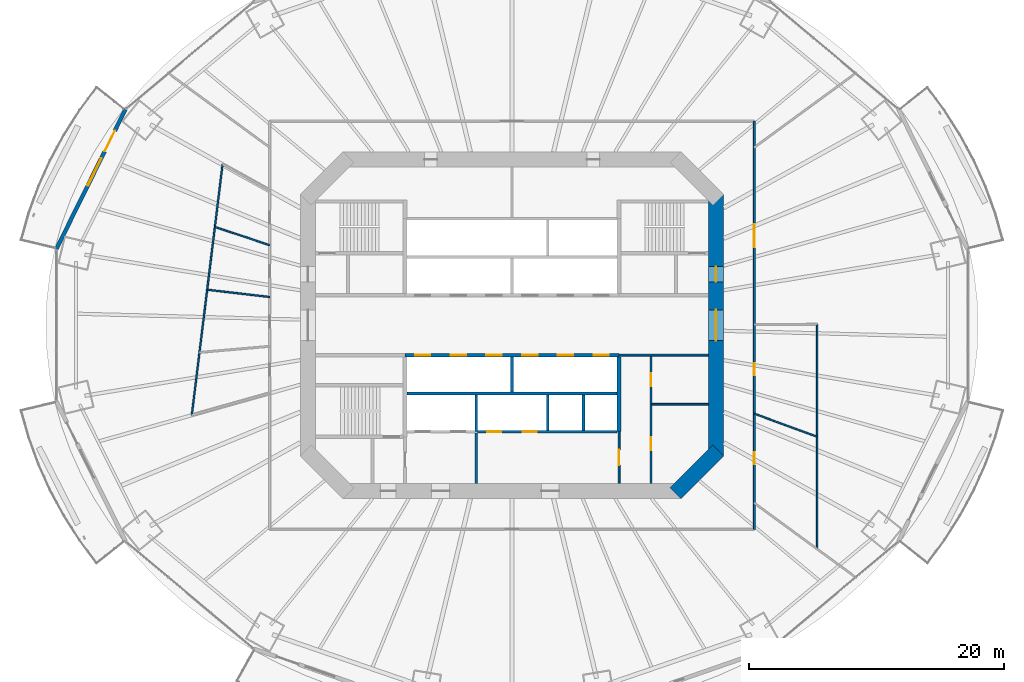
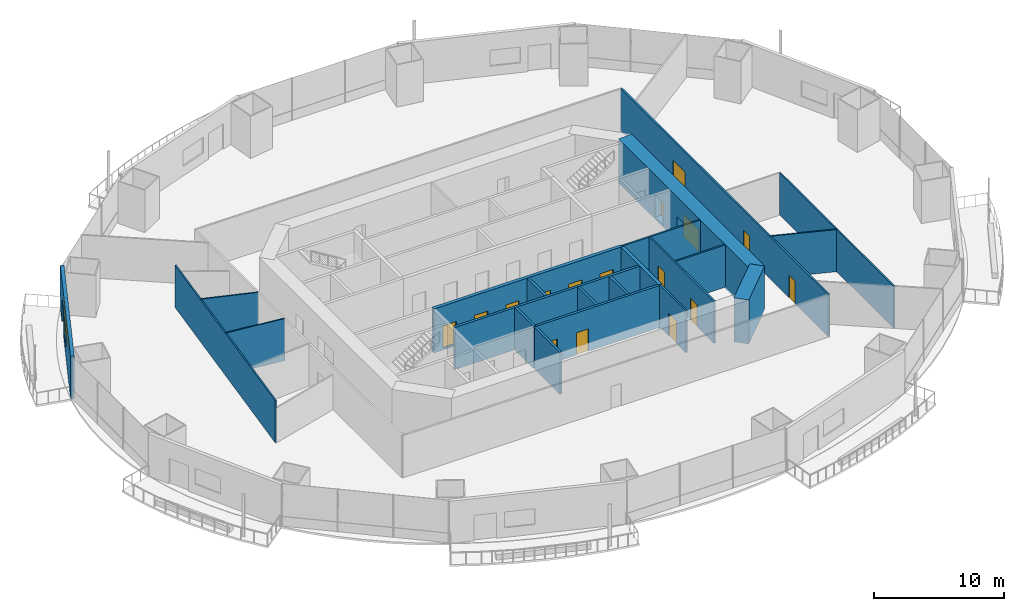
# One storey, part 15 of 23: 22 walls, 17 doors, 1 window, 18 openings.
"""IFC4 building model written with IfcOpenShell, lengths in metres."""

from ifc_helpers import new_model, si_unit, direction, frame, frame_2d, origin, place, context, subcontext, project, spatial, rectangle, extrude, material, layer, layer_set, type_object, element, fill, save


model = new_model("IFC4")

# Units and contexts
model_context = context("Model", 3, precision=1e-05, world=origin(), true_north=direction((0.0, 1.0)))
body_context = subcontext(model_context, "Body", "Model", "MODEL_VIEW")
ifc_project = project(units=[si_unit("LENGTHUNIT", "METRE"), si_unit("AREAUNIT", "SQUARE_METRE"), si_unit("VOLUMEUNIT", "CUBIC_METRE"), si_unit("PLANEANGLEUNIT", "RADIAN"), si_unit("MASSUNIT", "GRAM", prefix="KILO")], contexts=[model_context])

# Site, building, storey
site_placement = place(None, origin())
site = spatial("IfcSite", under=ifc_project, at=site_placement, CompositionType="ELEMENT")
building_placement = place(site_placement, origin())
building = spatial("IfcBuilding", under=site, at=building_placement, Name="Marenthal Gate Tower", CompositionType="ELEMENT")
storey_placement = place(building_placement, frame((0.0, 0.0, 45.449951171875)))
storey = spatial("IfcBuildingStorey", under=building, at=storey_placement, Name="L07", CompositionType="ELEMENT", Elevation=45.449951171875)

# Wall
ifc_material_1 = material(Name="Concrete 60 MPa", Category="concrete")
ifc_layer_1 = layer(ifc_material_1, 1.199951171875)
ifc_layer_set_1 = layer_set([ifc_layer_1], Name="Core shear wall 1200")
wall_type_1 = type_object("IfcWallType", Name="Core shear wall 1200", PredefinedType="SHEAR", material=ifc_layer_set_1)
wall_1_placement = place(storey_placement, frame((12.82421875, -13.17578125, -0.179931640625), z_axis=(0.0, 0.0, 1.0), x_axis=(0.707106781187, 0.707106781187, 0.0)))
element("IfcWall", 1, at=wall_1_placement, inside=storey, type_object=wall_type_1, Name="Core wall 01", PredefinedType="SHEAR", context=body_context, shape_type="SweptSolid", body=[
    extrude(rectangle(XDim=4.73974609375, YDim=1.199951171875, at=frame_2d((2.369873046875, 0.0))), origin(), (0.0, 0.0, 1.0), 4.14990234375),
])

# Wall, openings, doors
wall_2_placement = place(storey_placement, frame((16.0, -10.24853515625, -0.179931640625), z_axis=(0.0, 0.0, 1.0), x_axis=(0.0, 1.0, 0.0)))
wall_2 = element("IfcWall", 2, at=wall_2_placement, inside=storey, type_object=wall_type_1, Name="Core wall 02", PredefinedType="SHEAR", context=body_context, shape_type="SweptSolid", body=[
    extrude(rectangle(XDim=20.4970703125, YDim=1.199951171875, at=frame_2d((10.24853515625, 0.0))), origin(), (0.0, 0.0, 1.0), 4.14990234375),
])
opening_1_placement = place(wall_2_placement, frame((9.048583984375, 0.0, 0.179931640625)))
opening_1 = element("IfcOpeningElement", 3, at=opening_1_placement, cuts=wall_2, Name="Opening D003.02", PredefinedType="OPENING", context=body_context, shape_type="SweptSolid", body=[
    extrude(rectangle(XDim=2.39990234375, YDim=2.10009765625, at=frame_2d((1.199951171875, 1.050048828125))), frame((0.0, 0.60986328125, 0.0), z_axis=(0.0, -1.0, 0.0), x_axis=(1.0, 0.0, 0.0)), (0.0, 0.0, 1.0), 1.219970703125),
])
opening_2_placement = place(wall_2_placement, frame((13.6484375, 0.0, 0.179931640625)))
opening_2 = element("IfcOpeningElement", 4, at=opening_2_placement, cuts=wall_2, Name="Opening D001.05", PredefinedType="OPENING", context=body_context, shape_type="SweptSolid", body=[
    extrude(rectangle(XDim=1.199951171875, YDim=2.10009765625, at=frame_2d((0.60009765625, 1.050048828125))), frame((0.0, 0.60986328125, 0.0), z_axis=(0.0, -1.0, 0.0), x_axis=(1.0, 0.0, 0.0)), (0.0, 0.0, 1.0), 1.219970703125),
])
ifc_material_2 = material(Name="Steel fire door", Category="steel")
door_type_1 = type_object("IfcDoorType", Name="Double fire door FD 45 2400 x 2100", OperationType="DOUBLE_DOOR_SINGLE_SWING", PredefinedType="DOOR", material=ifc_material_2)
door_1_placement = place(opening_1_placement, origin())
door_1 = element("IfcDoor", 5, at=door_1_placement, inside=storey, type_object=door_type_1, Name="Door D003.02", OperationType="DOUBLE_DOOR_SINGLE_SWING", OverallHeight=2.10009765625, OverallWidth=2.39990234375, PredefinedType="DOOR", context=body_context, shape_type="SweptSolid", body=[
    extrude(rectangle(XDim=2.39990234375, YDim=2.10009765625, at=frame_2d((1.199951171875, 1.050048828125))), frame((0.0, 0.02490234375, 0.0), z_axis=(0.0, -1.0, 0.0), x_axis=(1.0, 0.0, 0.0)), (0.0, 0.0, 1.0), 0.050048828125),
])
fill(opening_1, door_1)
ifc_material_3 = material(Name="Steel fire door", Category="steel")
door_type_2 = type_object("IfcDoorType", Name="Fire door FD 90 1200 x 2100", OperationType="NOTDEFINED", PredefinedType="DOOR", material=ifc_material_3)
door_2_placement = place(opening_2_placement, origin())
door_2 = element("IfcDoor", 6, at=door_2_placement, inside=storey, type_object=door_type_2, Name="Door D001.05", OperationType="SINGLE_SWING_RIGHT", OverallHeight=2.10009765625, OverallWidth=1.199951171875, PredefinedType="DOOR", context=body_context, shape_type="SweptSolid", body=[
    extrude(rectangle(XDim=1.199951171875, YDim=2.10009765625, at=frame_2d((0.60009765625, 1.050048828125))), frame((0.0, 0.02490234375, 0.0), z_axis=(0.0, -1.0, 0.0), x_axis=(1.0, 0.0, 0.0)), (0.0, 0.0, 1.0), 0.050048828125),
])
fill(opening_2, door_2)

# Wall
ifc_material_4 = material(Name="Gypsum board on steel studs", Category="steel")
ifc_layer_2 = layer(ifc_material_4, 0.199951171875)
ifc_layer_set_2 = layer_set([ifc_layer_2], Name="Fire lobby wall 200")
wall_type_2 = type_object("IfcWallType", Name="Fire lobby wall 200", PredefinedType="PARTITIONING", material=ifc_layer_set_2)
wall_3_placement = place(storey_placement, frame((-2.800048828125, -12.39990234375, 0.0), z_axis=(0.0, 0.0, 1.0), x_axis=(0.0, 1.0, 0.0)))
element("IfcWall", 7, at=wall_3_placement, inside=storey, type_object=wall_type_2, Name="Fire wall 33", PredefinedType="PARTITIONING", context=body_context, shape_type="SweptSolid", body=[
    extrude(rectangle(XDim=3.93994140625, YDim=0.199951171875, at=frame_2d((1.969970703125, 0.0))), origin(), (0.0, 0.0, 1.0), 3.969970703125),
])

# Wall, openings, doors
ifc_material_5 = material(Name="Concrete 50 MPa", Category="concrete")
ifc_layer_3 = layer(ifc_material_5, 0.300048828125)
ifc_layer_set_3 = layer_set([ifc_layer_3], Name="Hoistway shear wall 300")
wall_type_3 = type_object("IfcWallType", Name="Hoistway shear wall 300", PredefinedType="SHEAR", material=ifc_layer_set_3)
wall_4_placement = place(storey_placement, frame((-8.39990234375, -2.35009765625, -0.179931640625), z_axis=(0.0, 0.0, 1.0), x_axis=(1.0, 0.0, 0.0)))
wall_4 = element("IfcWall", 8, at=wall_4_placement, inside=storey, type_object=wall_type_3, Name="Hoistway wall 16", PredefinedType="SHEAR", context=body_context, shape_type="SweptSolid", body=[
    extrude(rectangle(XDim=16.7998046875, YDim=0.300048828125, at=frame_2d((8.39990234375, 0.0))), origin(), (0.0, 0.0, 1.0), 4.14990234375),
])
opening_3_placement = place(wall_4_placement, frame((0.800048828125, 0.0, 0.179931640625)))
opening_3 = element("IfcOpeningElement", 9, at=opening_3_placement, cuts=wall_4, Name="Opening LD-LP7", PredefinedType="OPENING", context=body_context, shape_type="SweptSolid", body=[
    extrude(rectangle(XDim=1.199951171875, YDim=2.10009765625, at=frame_2d((0.60009765625, 1.050048828125))), frame((0.0, 0.16015625, 0.0), z_axis=(0.0, -1.0, 0.0), x_axis=(1.0, 0.0, 0.0)), (0.0, 0.0, 1.0), 0.320068359375),
])
opening_4_placement = place(wall_4_placement, frame((3.60009765625, 0.0, 0.179931640625)))
opening_4 = element("IfcOpeningElement", 10, at=opening_4_placement, cuts=wall_4, Name="Opening LD-LP8", PredefinedType="OPENING", context=body_context, shape_type="SweptSolid", body=[
    extrude(rectangle(XDim=1.199951171875, YDim=2.10009765625, at=frame_2d((0.60009765625, 1.050048828125))), frame((0.0, 0.16015625, 0.0), z_axis=(0.0, -1.0, 0.0), x_axis=(1.0, 0.0, 0.0)), (0.0, 0.0, 1.0), 0.320068359375),
])
opening_5_placement = place(wall_4_placement, frame((6.39990234375, 0.0, 0.179931640625)))
opening_5 = element("IfcOpeningElement", 11, at=opening_5_placement, cuts=wall_4, Name="Opening LD-LP9", PredefinedType="OPENING", context=body_context, shape_type="SweptSolid", body=[
    extrude(rectangle(XDim=1.199951171875, YDim=2.10009765625, at=frame_2d((0.60009765625, 1.050048828125))), frame((0.0, 0.16015625, 0.0), z_axis=(0.0, -1.0, 0.0), x_axis=(1.0, 0.0, 0.0)), (0.0, 0.0, 1.0), 0.320068359375),
])
opening_6_placement = place(wall_4_placement, frame((9.199951171875, 0.0, 0.179931640625)))
opening_6 = element("IfcOpeningElement", 12, at=opening_6_placement, cuts=wall_4, Name="Opening LD-LP10", PredefinedType="OPENING", context=body_context, shape_type="SweptSolid", body=[
    extrude(rectangle(XDim=1.199951171875, YDim=2.10009765625, at=frame_2d((0.60009765625, 1.050048828125))), frame((0.0, 0.16015625, 0.0), z_axis=(0.0, -1.0, 0.0), x_axis=(1.0, 0.0, 0.0)), (0.0, 0.0, 1.0), 0.320068359375),
])
opening_7_placement = place(wall_4_placement, frame((12.0, 0.0, 0.179931640625)))
opening_7 = element("IfcOpeningElement", 13, at=opening_7_placement, cuts=wall_4, Name="Opening LD-LP11", PredefinedType="OPENING", context=body_context, shape_type="SweptSolid", body=[
    extrude(rectangle(XDim=1.199951171875, YDim=2.10009765625, at=frame_2d((0.60009765625, 1.050048828125))), frame((0.0, 0.16015625, 0.0), z_axis=(0.0, -1.0, 0.0), x_axis=(1.0, 0.0, 0.0)), (0.0, 0.0, 1.0), 0.320068359375),
])
opening_8_placement = place(wall_4_placement, frame((14.800048828125, 0.0, 0.179931640625)))
opening_8 = element("IfcOpeningElement", 14, at=opening_8_placement, cuts=wall_4, Name="Opening LD-LP12", PredefinedType="OPENING", context=body_context, shape_type="SweptSolid", body=[
    extrude(rectangle(XDim=1.199951171875, YDim=2.10009765625, at=frame_2d((0.60009765625, 1.050048828125))), frame((0.0, 0.16015625, 0.0), z_axis=(0.0, -1.0, 0.0), x_axis=(1.0, 0.0, 0.0)), (0.0, 0.0, 1.0), 0.320068359375),
])
ifc_material_6 = material(Name="Stainless steel sliding door", Category="steel")
door_type_3 = type_object("IfcDoorType", Name="Lift landing door FD 90 1200 x 2100", OperationType="DOUBLE_DOOR_SLIDING", PredefinedType="DOOR", material=ifc_material_6)
door_3_placement = place(opening_3_placement, origin())
door_3 = element("IfcDoor", 15, at=door_3_placement, inside=storey, type_object=door_type_3, Name="Lift landing door LP7", OperationType="DOUBLE_DOOR_SLIDING", OverallHeight=2.10009765625, OverallWidth=1.199951171875, PredefinedType="DOOR", context=body_context, shape_type="SweptSolid", body=[
    extrude(rectangle(XDim=1.199951171875, YDim=2.10009765625, at=frame_2d((0.60009765625, 1.050048828125))), frame((0.0, 0.02490234375, 0.0), z_axis=(0.0, -1.0, 0.0), x_axis=(1.0, 0.0, 0.0)), (0.0, 0.0, 1.0), 0.050048828125),
])
fill(opening_3, door_3)
door_4_placement = place(opening_4_placement, origin())
door_4 = element("IfcDoor", 16, at=door_4_placement, inside=storey, type_object=door_type_3, Name="Lift landing door LP8", OperationType="DOUBLE_DOOR_SLIDING", OverallHeight=2.10009765625, OverallWidth=1.199951171875, PredefinedType="DOOR", context=body_context, shape_type="SweptSolid", body=[
    extrude(rectangle(XDim=1.199951171875, YDim=2.10009765625, at=frame_2d((0.60009765625, 1.050048828125))), frame((0.0, 0.02490234375, 0.0), z_axis=(0.0, -1.0, 0.0), x_axis=(1.0, 0.0, 0.0)), (0.0, 0.0, 1.0), 0.050048828125),
])
fill(opening_4, door_4)
door_5_placement = place(opening_5_placement, origin())
door_5 = element("IfcDoor", 17, at=door_5_placement, inside=storey, type_object=door_type_3, Name="Lift landing door LP9", OperationType="DOUBLE_DOOR_SLIDING", OverallHeight=2.10009765625, OverallWidth=1.199951171875, PredefinedType="DOOR", context=body_context, shape_type="SweptSolid", body=[
    extrude(rectangle(XDim=1.199951171875, YDim=2.10009765625, at=frame_2d((0.60009765625, 1.050048828125))), frame((0.0, 0.02490234375, 0.0), z_axis=(0.0, -1.0, 0.0), x_axis=(1.0, 0.0, 0.0)), (0.0, 0.0, 1.0), 0.050048828125),
])
fill(opening_5, door_5)
door_6_placement = place(opening_6_placement, origin())
door_6 = element("IfcDoor", 18, at=door_6_placement, inside=storey, type_object=door_type_3, Name="Lift landing door LP10", OperationType="DOUBLE_DOOR_SLIDING", OverallHeight=2.10009765625, OverallWidth=1.199951171875, PredefinedType="DOOR", context=body_context, shape_type="SweptSolid", body=[
    extrude(rectangle(XDim=1.199951171875, YDim=2.10009765625, at=frame_2d((0.60009765625, 1.050048828125))), frame((0.0, 0.02490234375, 0.0), z_axis=(0.0, -1.0, 0.0), x_axis=(1.0, 0.0, 0.0)), (0.0, 0.0, 1.0), 0.050048828125),
])
fill(opening_6, door_6)
door_7_placement = place(opening_7_placement, origin())
door_7 = element("IfcDoor", 19, at=door_7_placement, inside=storey, type_object=door_type_3, Name="Lift landing door LP11", OperationType="DOUBLE_DOOR_SLIDING", OverallHeight=2.10009765625, OverallWidth=1.199951171875, PredefinedType="DOOR", context=body_context, shape_type="SweptSolid", body=[
    extrude(rectangle(XDim=1.199951171875, YDim=2.10009765625, at=frame_2d((0.60009765625, 1.050048828125))), frame((0.0, 0.02490234375, 0.0), z_axis=(0.0, -1.0, 0.0), x_axis=(1.0, 0.0, 0.0)), (0.0, 0.0, 1.0), 0.050048828125),
])
fill(opening_7, door_7)
door_8_placement = place(opening_8_placement, origin())
door_8 = element("IfcDoor", 20, at=door_8_placement, inside=storey, type_object=door_type_3, Name="Lift landing door LP12", OperationType="DOUBLE_DOOR_SLIDING", OverallHeight=2.10009765625, OverallWidth=1.199951171875, PredefinedType="DOOR", context=body_context, shape_type="SweptSolid", body=[
    extrude(rectangle(XDim=1.199951171875, YDim=2.10009765625, at=frame_2d((0.60009765625, 1.050048828125))), frame((0.0, 0.02490234375, 0.0), z_axis=(0.0, -1.0, 0.0), x_axis=(1.0, 0.0, 0.0)), (0.0, 0.0, 1.0), 0.050048828125),
])
fill(opening_8, door_8)

# Wall
wall_5_placement = place(storey_placement, frame((8.39990234375, -8.35009765625, -0.179931640625), z_axis=(0.0, 0.0, 1.0), x_axis=(0.0, 1.0, 0.0)))
element("IfcWall", 21, at=wall_5_placement, inside=storey, type_object=wall_type_3, Name="Hoistway wall 42", PredefinedType="SHEAR", context=body_context, shape_type="SweptSolid", body=[
    extrude(rectangle(XDim=5.85009765625, YDim=0.300048828125, at=frame_2d((2.925048828125, 0.0))), origin(), (0.0, 0.0, 1.0), 4.14990234375),
])

# Wall, openings, doors
ifc_material_7 = material(Name="Concrete 40 MPa", Category="concrete")
ifc_layer_4 = layer(ifc_material_7, 0.219970703125)
ifc_layer_set_4 = layer_set([ifc_layer_4], Name="Hoistway wall 220")
wall_type_4 = type_object("IfcWallType", Name="Hoistway wall 220", PredefinedType="STANDARD", material=ifc_layer_set_4)
wall_6_placement = place(storey_placement, frame((-2.68994140625, -8.35009765625, 0.0), z_axis=(0.0, 0.0, 1.0), x_axis=(1.0, 0.0, 0.0)))
wall_6 = element("IfcWall", 22, at=wall_6_placement, inside=storey, type_object=wall_type_4, Name="Hoistway wall 11", PredefinedType="STANDARD", context=body_context, shape_type="SweptSolid", body=[
    extrude(rectangle(XDim=10.93994140625, YDim=0.219970703125, at=frame_2d((5.469970703125, 0.0))), origin(), (0.0, 0.0, 1.0), 3.969970703125),
])
opening_9_placement = place(wall_6_placement, frame((0.739990234375, 0.0, 0.0)))
opening_9 = element("IfcOpeningElement", 23, at=opening_9_placement, cuts=wall_6, Name="Opening LD-SV1", PredefinedType="OPENING", context=body_context, shape_type="SweptSolid", body=[
    extrude(rectangle(XDim=1.10009765625, YDim=2.10009765625, at=frame_2d((0.550048828125, 1.050048828125))), frame((0.0, 0.1201171875, 0.0), z_axis=(0.0, -1.0, 0.0), x_axis=(1.0, 0.0, 0.0)), (0.0, 0.0, 1.0), 0.239990234375),
])
opening_10_placement = place(wall_6_placement, frame((3.5400390625, 0.0, 0.0)))
opening_10 = element("IfcOpeningElement", 24, at=opening_10_placement, cuts=wall_6, Name="Opening LD-SV2", PredefinedType="OPENING", context=body_context, shape_type="SweptSolid", body=[
    extrude(rectangle(XDim=1.10009765625, YDim=2.10009765625, at=frame_2d((0.550048828125, 1.050048828125))), frame((0.0, 0.1201171875, 0.0), z_axis=(0.0, -1.0, 0.0), x_axis=(1.0, 0.0, 0.0)), (0.0, 0.0, 1.0), 0.239990234375),
])
ifc_material_8 = material(Name="Stainless steel sliding door", Category="steel")
door_type_4 = type_object("IfcDoorType", Name="Lift landing door FD 90 1100 x 2100", OperationType="DOUBLE_DOOR_SLIDING", PredefinedType="DOOR", material=ifc_material_8)
door_9_placement = place(opening_9_placement, origin())
door_9 = element("IfcDoor", 25, at=door_9_placement, inside=storey, type_object=door_type_4, Name="Lift landing door SV1", OperationType="DOUBLE_DOOR_SLIDING", OverallHeight=2.10009765625, OverallWidth=1.10009765625, PredefinedType="DOOR", context=body_context, shape_type="SweptSolid", body=[
    extrude(rectangle(XDim=1.10009765625, YDim=2.10009765625, at=frame_2d((0.550048828125, 1.050048828125))), frame((0.0, 0.02490234375, 0.0), z_axis=(0.0, -1.0, 0.0), x_axis=(1.0, 0.0, 0.0)), (0.0, 0.0, 1.0), 0.050048828125),
])
fill(opening_9, door_9)
door_10_placement = place(opening_10_placement, origin())
door_10 = element("IfcDoor", 26, at=door_10_placement, inside=storey, type_object=door_type_4, Name="Lift landing door SV2", OperationType="DOUBLE_DOOR_SLIDING", OverallHeight=2.10009765625, OverallWidth=1.10009765625, PredefinedType="DOOR", context=body_context, shape_type="SweptSolid", body=[
    extrude(rectangle(XDim=1.10009765625, YDim=2.10009765625, at=frame_2d((0.550048828125, 1.050048828125))), frame((0.0, 0.02490234375, 0.0), z_axis=(0.0, -1.0, 0.0), x_axis=(1.0, 0.0, 0.0)), (0.0, 0.0, 1.0), 0.050048828125),
])
fill(opening_10, door_10)

# Walls
wall_7_placement = place(storey_placement, frame((-8.25, -5.35009765625, 0.0), z_axis=(0.0, 0.0, 1.0), x_axis=(1.0, 0.0, 0.0)))
element("IfcWall", 27, at=wall_7_placement, inside=storey, type_object=wall_type_4, Name="Hoistway wall 13", PredefinedType="STANDARD", context=body_context, shape_type="SweptSolid", body=[
    extrude(rectangle(XDim=16.5, YDim=0.219970703125, at=frame_2d((8.25, 0.0))), origin(), (0.0, 0.0, 1.0), 3.969970703125),
])
wall_8_placement = place(storey_placement, frame((-2.800048828125, -8.35009765625, 0.0), z_axis=(0.0, 0.0, 1.0), x_axis=(0.0, 1.0, 0.0)))
element("IfcWall", 28, at=wall_8_placement, inside=storey, type_object=wall_type_4, Name="Hoistway wall 34", PredefinedType="STANDARD", context=body_context, shape_type="SweptSolid", body=[
    extrude(rectangle(XDim=2.89013671875, YDim=0.219970703125, at=frame_2d((1.445068359375, 0.0))), origin(), (0.0, 0.0, 1.0), 3.969970703125),
])
wall_9_placement = place(storey_placement, frame((0.0, -5.239990234375, 0.0), z_axis=(0.0, 0.0, 1.0), x_axis=(0.0, 1.0, 0.0)))
element("IfcWall", 29, at=wall_9_placement, inside=storey, type_object=wall_type_4, Name="Hoistway wall 35", PredefinedType="STANDARD", context=body_context, shape_type="SweptSolid", body=[
    extrude(rectangle(XDim=2.739990234375, YDim=0.219970703125, at=frame_2d((1.3701171875, 0.0))), origin(), (0.0, 0.0, 1.0), 3.969970703125),
])
for number, where, z_axis, x_axis, name in (
    (30, (2.800048828125, -8.239990234375, 0.0), (0.0, 0.0, 1.0), (0.0, 1.0, 0.0), "Hoistway wall 38"),
    (31, (5.60009765625, -8.239990234375, 0.0), (0.0, 0.0, 1.0), (0.0, 1.0, 0.0), "Hoistway wall 40"),
):
    element("IfcWall", number, at=place(storey_placement, frame(where, z_axis=z_axis, x_axis=x_axis)), inside=storey, type_object=wall_type_4, Name=name, PredefinedType="STANDARD", context=body_context, shape_type="SweptSolid", body=[
        extrude(rectangle(XDim=2.780029296875, YDim=0.219970703125, at=frame_2d((1.39013671875, 0.0))), origin(), (0.0, 0.0, 1.0), 3.969970703125),
    ])
ifc_material_9 = material(Name="Gypsum board on steel studs", Category="steel")
ifc_layer_5 = layer(ifc_material_9, 0.1201171875)
ifc_layer_set_5 = layer_set([ifc_layer_5], Name="Partition 120")
wall_type_5 = type_object("IfcWallType", Name="Partition 120", PredefinedType="PARTITIONING", material=ifc_layer_set_5)
wall_10_placement = place(storey_placement, frame((-23.902587890625, 2.78369140625, 0.0), z_axis=(0.0, 0.0, 1.0), x_axis=(0.993284661568, -0.115696072078, 0.0)))
element("IfcWall", 32, at=wall_10_placement, inside=storey, type_object=wall_type_5, Name="Partition wall 48", PredefinedType="PARTITIONING", context=body_context, shape_type="SweptSolid", body=[
    extrude(rectangle(XDim=4.935791015625, YDim=0.1201171875, at=frame_2d((2.4677734375, 0.0))), origin(), (0.0, 0.0, 1.0), 3.969970703125),
])
wall_11_placement = place(storey_placement, frame((-23.299072265625, 7.701416015625, 0.0), z_axis=(0.0, 0.0, 1.0), x_axis=(0.949467582408, -0.313865114271, 0.0)))
element("IfcWall", 33, at=wall_11_placement, inside=storey, type_object=wall_type_5, Name="Partition wall 49", PredefinedType="PARTITIONING", context=body_context, shape_type="SweptSolid", body=[
    extrude(rectangle(XDim=4.52783203125, YDim=0.1201171875, at=frame_2d((2.263916015625, 0.0))), origin(), (0.0, 0.0, 1.0), 3.969970703125),
])
wall_12_placement = place(storey_placement, frame((-22.6953125, 12.618896484375, 0.0), z_axis=(0.0, 0.0, 1.0), x_axis=(-0.121832964423, -0.992550617742, 0.0)))
element("IfcWall", 34, at=wall_12_placement, inside=storey, type_object=wall_type_5, Name="Partition wall 50", PredefinedType="PARTITIONING", context=body_context, shape_type="SweptSolid", body=[
    extrude(rectangle(XDim=19.818603515625, YDim=0.1201171875, at=frame_2d((9.9091796875, 0.0))), origin(), (0.0, 0.0, 1.0), 3.969970703125),
])
wall_13_placement = place(storey_placement, frame((23.921630859375, -17.552490234375, 0.0), z_axis=(0.0, 0.0, 1.0), x_axis=(0.0, 1.0, 0.0)))
element("IfcWall", 35, at=wall_13_placement, inside=storey, type_object=wall_type_5, Name="Partition wall 60", PredefinedType="PARTITIONING", context=body_context, shape_type="SweptSolid", body=[
    extrude(rectangle(XDim=17.630615234375, YDim=0.1201171875, at=frame_2d((8.8154296875, 0.0))), origin(), (0.0, 0.0, 1.0), 3.969970703125),
])
wall_14_placement = place(storey_placement, frame((23.921630859375, -8.7373046875, 0.0), z_axis=(0.0, 0.0, 1.0), x_axis=(-0.939306799008, 0.343078325368, 0.0)))
element("IfcWall", 36, at=wall_14_placement, inside=storey, type_object=wall_type_5, Name="Partition wall 61", PredefinedType="PARTITIONING", context=body_context, shape_type="SweptSolid", body=[
    extrude(rectangle(XDim=5.23974609375, YDim=0.1201171875, at=frame_2d((2.619873046875, 0.0))), origin(), (0.0, 0.0, 1.0), 3.969970703125),
])
ifc_material_10 = material(Name="Gypsum board on steel studs", Category="steel")
ifc_layer_6 = layer(ifc_material_10, 0.14990234375)
ifc_layer_set_6 = layer_set([ifc_layer_6], Name="Partition 150")
wall_type_6 = type_object("IfcWallType", Name="Partition 150", PredefinedType="PARTITIONING", material=ifc_layer_set_6)
wall_15_placement = place(storey_placement, frame((10.97509765625, -6.199951171875, 0.0), z_axis=(0.0, 0.0, 1.0), x_axis=(1.0, 0.0, 0.0)))
element("IfcWall", 37, at=wall_15_placement, inside=storey, type_object=wall_type_6, Name="Partition wall 12", PredefinedType="PARTITIONING", context=body_context, shape_type="SweptSolid", body=[
    extrude(rectangle(XDim=4.4248046875, YDim=0.14990234375, at=frame_2d((2.21240234375, 0.0))), origin(), (0.0, 0.0, 1.0), 3.969970703125),
])
wall_16_placement = place(storey_placement, frame((8.39990234375, -2.35009765625, 0.0), z_axis=(0.0, 0.0, 1.0), x_axis=(1.0, 0.0, 0.0)))
element("IfcWall", 38, at=wall_16_placement, inside=storey, type_object=wall_type_6, Name="Partition wall 17", PredefinedType="PARTITIONING", context=body_context, shape_type="SweptSolid", body=[
    extrude(rectangle(XDim=7.0, YDim=0.14990234375, at=frame_2d((3.5, 0.0))), origin(), (0.0, 0.0, 1.0), 3.969970703125),
])

# Wall, opening, door
wall_17_placement = place(storey_placement, frame((8.39990234375, -12.39990234375, 0.0), z_axis=(0.0, 0.0, 1.0), x_axis=(0.0, 1.0, 0.0)))
wall_17 = element("IfcWall", 39, at=wall_17_placement, inside=storey, type_object=wall_type_6, Name="Partition wall 41", PredefinedType="PARTITIONING", context=body_context, shape_type="SweptSolid", body=[
    extrude(rectangle(XDim=4.0498046875, YDim=0.14990234375, at=frame_2d((2.02490234375, 0.0))), origin(), (0.0, 0.0, 1.0), 3.969970703125),
])
opening_11_placement = place(wall_17_placement, frame((1.425048828125, 0.0, 0.0)))
opening_11 = element("IfcOpeningElement", 40, at=opening_11_placement, cuts=wall_17, Name="Opening D006.01", PredefinedType="OPENING", context=body_context, shape_type="SweptSolid", body=[
    extrude(rectangle(XDim=1.199951171875, YDim=2.10009765625, at=frame_2d((0.60009765625, 1.050048828125))), frame((0.0, 0.0849609375, 0.0), z_axis=(0.0, -1.0, 0.0), x_axis=(1.0, 0.0, 0.0)), (0.0, 0.0, 1.0), 0.169921875),
])
ifc_material_11 = material(Name="Steel fire door", Category="steel")
door_type_5 = type_object("IfcDoorType", Name="Fire door FD 45 1200 x 2100", OperationType="NOTDEFINED", PredefinedType="DOOR", material=ifc_material_11)
door_11_placement = place(opening_11_placement, frame((1.199951171875, 0.0, 0.0), z_axis=(0.0, 0.0, 1.0), x_axis=(-1.0, 0.0, 0.0)))
door_11 = element("IfcDoor", 41, at=door_11_placement, inside=storey, type_object=door_type_5, Name="Door D006.01", OperationType="SINGLE_SWING_LEFT", OverallHeight=2.10009765625, OverallWidth=1.199951171875, PredefinedType="DOOR", context=body_context, shape_type="SweptSolid", body=[
    extrude(rectangle(XDim=1.199951171875, YDim=2.10009765625, at=frame_2d((0.60009765625, 1.050048828125))), frame((0.0, 0.02490234375, 0.0), z_axis=(0.0, -1.0, 0.0), x_axis=(1.0, 0.0, 0.0)), (0.0, 0.0, 1.0), 0.050048828125),
])
fill(opening_11, door_11)

# Wall, openings, doors
wall_18_placement = place(storey_placement, frame((10.89990234375, -12.39990234375, 0.0), z_axis=(0.0, 0.0, 1.0), x_axis=(0.0, 1.0, 0.0)))
wall_18 = element("IfcWall", 42, at=wall_18_placement, inside=storey, type_object=wall_type_6, Name="Partition wall 45", PredefinedType="PARTITIONING", context=body_context, shape_type="SweptSolid", body=[
    extrude(rectangle(XDim=9.974853515625, YDim=0.14990234375, at=frame_2d((4.9873046875, 0.0))), origin(), (0.0, 0.0, 1.0), 3.969970703125),
])
opening_12_placement = place(wall_18_placement, frame((7.625, 0.0, 0.0)))
opening_12 = element("IfcOpeningElement", 43, at=opening_12_placement, cuts=wall_18, Name="Opening D005.03", PredefinedType="OPENING", context=body_context, shape_type="SweptSolid", body=[
    extrude(rectangle(XDim=1.0, YDim=2.10009765625, at=frame_2d((0.5, 1.050048828125))), frame((0.0, 0.0849609375, 0.0), z_axis=(0.0, -1.0, 0.0), x_axis=(1.0, 0.0, 0.0)), (0.0, 0.0, 1.0), 0.169921875),
])
opening_13_placement = place(wall_18_placement, frame((2.60009765625, 0.0, 0.0)))
opening_13 = element("IfcOpeningElement", 44, at=opening_13_placement, cuts=wall_18, Name="Opening D005.04", PredefinedType="OPENING", context=body_context, shape_type="SweptSolid", body=[
    extrude(rectangle(XDim=1.0, YDim=2.10009765625, at=frame_2d((0.5, 1.050048828125))), frame((0.0, 0.0849609375, 0.0), z_axis=(0.0, -1.0, 0.0), x_axis=(1.0, 0.0, 0.0)), (0.0, 0.0, 1.0), 0.169921875),
])
ifc_material_12 = material(Name="Steel fire door", Category="steel")
door_type_6 = type_object("IfcDoorType", Name="Fire door FD 45 1000 x 2100", OperationType="NOTDEFINED", PredefinedType="DOOR", material=ifc_material_12)
door_12_placement = place(opening_12_placement, frame((1.0, 0.0, 0.0), z_axis=(0.0, 0.0, 1.0), x_axis=(-1.0, 0.0, 0.0)))
door_12 = element("IfcDoor", 45, at=door_12_placement, inside=storey, type_object=door_type_6, Name="Door D005.03", OperationType="SINGLE_SWING_LEFT", OverallHeight=2.10009765625, OverallWidth=1.0, PredefinedType="DOOR", context=body_context, shape_type="SweptSolid", body=[
    extrude(rectangle(XDim=1.0, YDim=2.10009765625, at=frame_2d((0.5, 1.050048828125))), frame((0.0, 0.02490234375, 0.0), z_axis=(0.0, -1.0, 0.0), x_axis=(1.0, 0.0, 0.0)), (0.0, 0.0, 1.0), 0.050048828125),
])
fill(opening_12, door_12)
door_13_placement = place(opening_13_placement, frame((1.0, 0.0, 0.0), z_axis=(0.0, 0.0, 1.0), x_axis=(-1.0, 0.0, 0.0)))
door_13 = element("IfcDoor", 46, at=door_13_placement, inside=storey, type_object=door_type_6, Name="Door D005.04", OperationType="SINGLE_SWING_LEFT", OverallHeight=2.10009765625, OverallWidth=1.0, PredefinedType="DOOR", context=body_context, shape_type="SweptSolid", body=[
    extrude(rectangle(XDim=1.0, YDim=2.10009765625, at=frame_2d((0.5, 1.050048828125))), frame((0.0, 0.02490234375, 0.0), z_axis=(0.0, -1.0, 0.0), x_axis=(1.0, 0.0, 0.0)), (0.0, 0.0, 1.0), 0.050048828125),
])
fill(opening_13, door_13)

wall_19_placement = place(storey_placement, frame((19.0, 16.0, 0.0), z_axis=(0.0, 0.0, 1.0), x_axis=(0.0, -1.0, 0.0)))
wall_19 = element("IfcWall", 47, at=wall_19_placement, inside=storey, type_object=wall_type_6, Name="Partition wall 59", PredefinedType="PARTITIONING", context=body_context, shape_type="SweptSolid", body=[
    extrude(rectangle(XDim=32.0, YDim=0.14990234375, at=frame_2d((16.0, 0.0))), origin(), (0.0, 0.0, 1.0), 3.969970703125),
])
opening_14_placement = place(wall_19_placement, frame((25.966064453125, 0.0, 0.0)))
opening_14 = element("IfcOpeningElement", 48, at=opening_14_placement, cuts=wall_19, Name="Opening D016.06", PredefinedType="OPENING", context=body_context, shape_type="SweptSolid", body=[
    extrude(rectangle(XDim=0.949951171875, YDim=2.10009765625, at=frame_2d((0.47509765625, 1.050048828125))), frame((0.0, 0.0849609375, 0.0), z_axis=(0.0, -1.0, 0.0), x_axis=(1.0, 0.0, 0.0)), (0.0, 0.0, 1.0), 0.169921875),
])
opening_15_placement = place(wall_19_placement, frame((18.964111328125, 0.0, 0.0)))
opening_15 = element("IfcOpeningElement", 49, at=opening_15_placement, cuts=wall_19, Name="Opening D016.07", PredefinedType="OPENING", context=body_context, shape_type="SweptSolid", body=[
    extrude(rectangle(XDim=0.949951171875, YDim=2.10009765625, at=frame_2d((0.47509765625, 1.050048828125))), frame((0.0, 0.0849609375, 0.0), z_axis=(0.0, -1.0, 0.0), x_axis=(1.0, 0.0, 0.0)), (0.0, 0.0, 1.0), 0.169921875),
])
opening_16_placement = place(wall_19_placement, frame((8.097900390625, 0.0, 0.0)))
opening_16 = element("IfcOpeningElement", 50, at=opening_16_placement, cuts=wall_19, Name="Opening D014.02", PredefinedType="OPENING", context=body_context, shape_type="SweptSolid", body=[
    extrude(rectangle(XDim=1.800048828125, YDim=2.10009765625, at=frame_2d((0.89990234375, 1.050048828125))), frame((0.0, 0.0849609375, 0.0), z_axis=(0.0, -1.0, 0.0), x_axis=(1.0, 0.0, 0.0)), (0.0, 0.0, 1.0), 0.169921875),
])
ifc_material_13 = material(Name="Timber door", Category="wood")
door_type_7 = type_object("IfcDoorType", Name="Door 950 x 2100", OperationType="NOTDEFINED", PredefinedType="DOOR", material=ifc_material_13)
door_14_placement = place(opening_14_placement, origin())
door_14 = element("IfcDoor", 51, at=door_14_placement, inside=storey, type_object=door_type_7, Name="Door D016.06", OperationType="SINGLE_SWING_RIGHT", OverallHeight=2.10009765625, OverallWidth=0.949951171875, PredefinedType="DOOR", context=body_context, shape_type="SweptSolid", body=[
    extrude(rectangle(XDim=0.949951171875, YDim=2.10009765625, at=frame_2d((0.47509765625, 1.050048828125))), frame((0.0, 0.02490234375, 0.0), z_axis=(0.0, -1.0, 0.0), x_axis=(1.0, 0.0, 0.0)), (0.0, 0.0, 1.0), 0.050048828125),
])
fill(opening_14, door_14)
door_15_placement = place(opening_15_placement, origin())
door_15 = element("IfcDoor", 52, at=door_15_placement, inside=storey, type_object=door_type_7, Name="Door D016.07", OperationType="SINGLE_SWING_RIGHT", OverallHeight=2.10009765625, OverallWidth=0.949951171875, PredefinedType="DOOR", context=body_context, shape_type="SweptSolid", body=[
    extrude(rectangle(XDim=0.949951171875, YDim=2.10009765625, at=frame_2d((0.47509765625, 1.050048828125))), frame((0.0, 0.02490234375, 0.0), z_axis=(0.0, -1.0, 0.0), x_axis=(1.0, 0.0, 0.0)), (0.0, 0.0, 1.0), 0.050048828125),
])
fill(opening_15, door_15)
ifc_material_14 = material(Name="Timber door", Category="wood")
door_type_8 = type_object("IfcDoorType", Name="Double door 1800 x 2100", OperationType="DOUBLE_DOOR_SINGLE_SWING", PredefinedType="DOOR", material=ifc_material_14)
door_16_placement = place(opening_16_placement, origin())
door_16 = element("IfcDoor", 53, at=door_16_placement, inside=storey, type_object=door_type_8, Name="Door D014.02", OperationType="DOUBLE_DOOR_SINGLE_SWING", OverallHeight=2.10009765625, OverallWidth=1.800048828125, PredefinedType="DOOR", context=body_context, shape_type="SweptSolid", body=[
    extrude(rectangle(XDim=1.800048828125, YDim=2.10009765625, at=frame_2d((0.89990234375, 1.050048828125))), frame((0.0, 0.02490234375, 0.0), z_axis=(0.0, -1.0, 0.0), x_axis=(1.0, 0.0, 0.0)), (0.0, 0.0, 1.0), 0.050048828125),
])
fill(opening_16, door_16)

# Wall, openings, door, window
ifc_material_15 = material(Name="Terracotta cladding on insulated concrete-block backing", Category="masonry")
ifc_layer_7 = layer(ifc_material_15, 0.300048828125)
ifc_layer_set_7 = layer_set([ifc_layer_7], Name="Terracotta facade wall 300")
wall_type_7 = type_object("IfcWallType", Name="Terracotta facade wall 300", PredefinedType="SOLIDWALL", material=ifc_layer_set_7)
wall_20_placement = place(storey_placement, frame((-30.297119140625, 16.953125, 0.0), z_axis=(0.0, 0.0, 1.0), x_axis=(-0.443341984676, -0.89635254483, 0.0)))
wall_20 = element("IfcWall", 54, at=wall_20_placement, inside=storey, type_object=wall_type_7, Name="Terracotta facade wall L07 bay 7", PredefinedType="SOLIDWALL", context=body_context, shape_type="SweptSolid", body=[
    extrude(rectangle(XDim=12.27197265625, YDim=0.300048828125, at=frame_2d((6.135986328125, 0.0))), origin(), (0.0, 0.0, 1.0), 3.969970703125),
])
opening_17_placement = place(wall_20_placement, frame((1.89990234375, 0.0, 0.0)))
opening_17 = element("IfcOpeningElement", 55, at=opening_17_placement, cuts=wall_20, Name="Opening BD-L07-07", PredefinedType="OPENING", context=body_context, shape_type="SweptSolid", body=[
    extrude(rectangle(XDim=1.800048828125, YDim=2.39990234375, at=frame_2d((0.89990234375, 1.199951171875))), frame((0.0, 0.16015625, 0.0), z_axis=(0.0, -1.0, 0.0), x_axis=(1.0, 0.0, 0.0)), (0.0, 0.0, 1.0), 0.320068359375),
])
opening_18_placement = place(wall_20_placement, frame((4.300048828125, 0.0, 0.89990234375)))
opening_18 = element("IfcOpeningElement", 56, at=opening_18_placement, cuts=wall_20, Name="Opening WN1-L07-07", PredefinedType="OPENING", context=body_context, shape_type="SweptSolid", body=[
    extrude(rectangle(XDim=2.39990234375, YDim=1.5, at=frame_2d((1.199951171875, 0.75))), frame((0.0, 0.16015625, 0.0), z_axis=(0.0, -1.0, 0.0), x_axis=(1.0, 0.0, 0.0)), (0.0, 0.0, 1.0), 0.320068359375),
])
ifc_material_16 = material(Name="Aluminium and glass", Category="aluminium")
door_type_9 = type_object("IfcDoorType", Name="Balcony door 1800x2400", OperationType="DOUBLE_DOOR_SINGLE_SWING", PredefinedType="DOOR", material=ifc_material_16)
door_17_placement = place(opening_17_placement, origin())
door_17 = element("IfcDoor", 57, at=door_17_placement, inside=storey, type_object=door_type_9, Name="Balcony door L07 bay 7", OperationType="SINGLE_SWING_LEFT", OverallHeight=2.39990234375, OverallWidth=1.800048828125, PredefinedType="DOOR", context=body_context, shape_type="SweptSolid", body=[
    extrude(rectangle(XDim=1.800048828125, YDim=2.39990234375, at=frame_2d((0.89990234375, 1.199951171875))), frame((0.0, 0.02490234375, 0.0), z_axis=(0.0, -1.0, 0.0), x_axis=(1.0, 0.0, 0.0)), (0.0, 0.0, 1.0), 0.050048828125),
])
fill(opening_17, door_17)
ifc_material_17 = material(Name="Aluminium and glass", Category="aluminium")
window_type = type_object("IfcWindowType", Name="Window 2400x1500", PartitioningType="TRIPLE_PANEL_VERTICAL", PredefinedType="WINDOW", material=ifc_material_17)
window_placement = place(opening_18_placement, origin())
window = element("IfcWindow", 58, at=window_placement, inside=storey, type_object=window_type, Name="Window L07 bay 7", OverallHeight=1.5, OverallWidth=2.39990234375, PartitioningType="SINGLE_PANEL", PredefinedType="WINDOW", context=body_context, shape_type="SweptSolid", body=[
    extrude(rectangle(XDim=2.39990234375, YDim=1.5, at=frame_2d((1.199951171875, 0.75))), frame((0.0, 0.030029296875, 0.0), z_axis=(0.0, -1.0, 0.0), x_axis=(1.0, 0.0, 0.0)), (0.0, 0.0, 1.0), 0.06005859375),
])
fill(opening_18, window)

save(model, "model.ifc")
